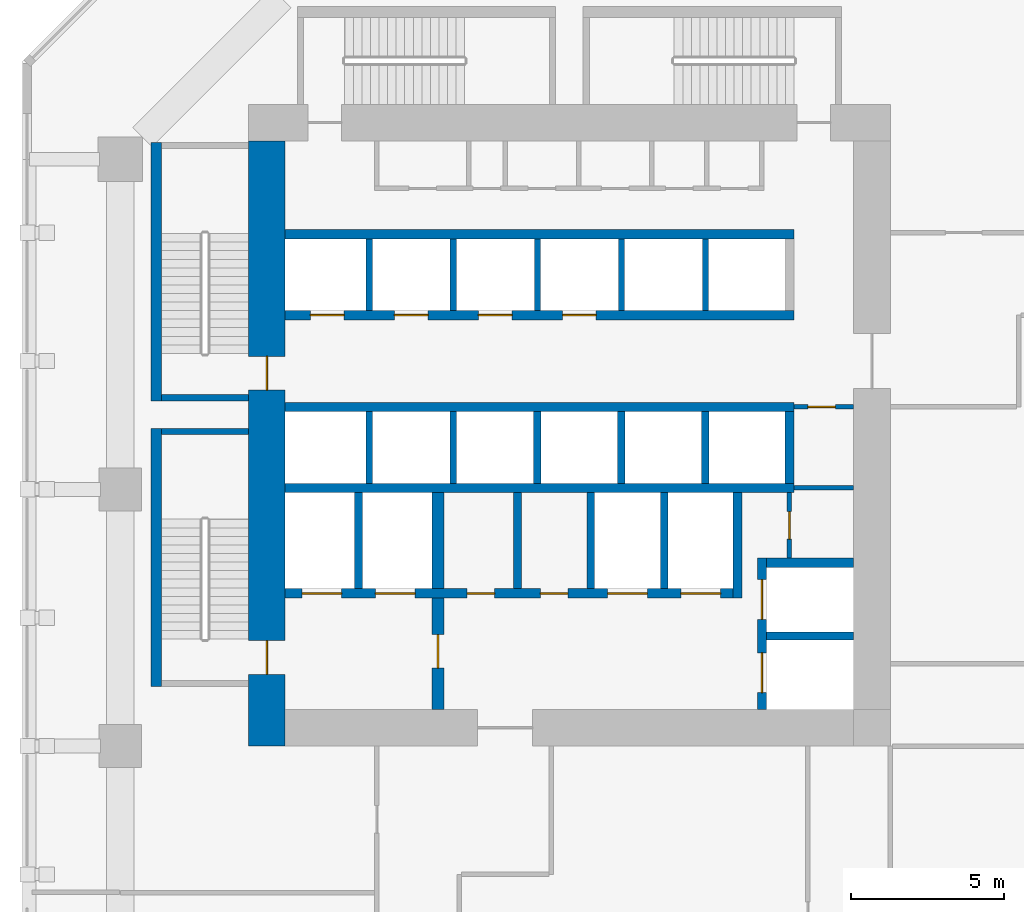
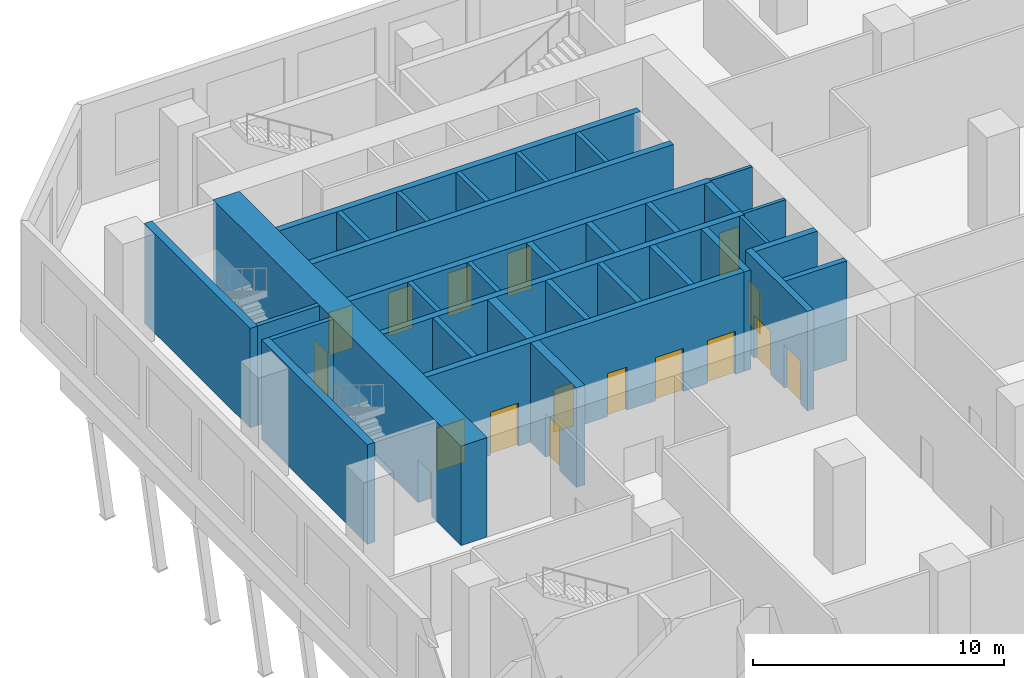
# One storey, part 8 of 21: 34 walls, 17 doors, 17 openings.
"""IFC4 building model written with IfcOpenShell, lengths in metres."""

from ifc_helpers import new_model, si_unit, direction, frame, frame_2d, origin, place, context, subcontext, project, spatial, rectangle, extrude, material, layer, layer_set, type_object, element, fill, save


model = new_model("IFC4")

# Units and contexts
model_context = context("Model", 3, precision=1e-05, world=origin(), true_north=direction((0.0, 1.0)))
body_context = subcontext(model_context, "Body", "Model", "MODEL_VIEW")
ifc_project = project(units=[si_unit("LENGTHUNIT", "METRE"), si_unit("AREAUNIT", "SQUARE_METRE"), si_unit("VOLUMEUNIT", "CUBIC_METRE"), si_unit("PLANEANGLEUNIT", "RADIAN"), si_unit("MASSUNIT", "GRAM", prefix="KILO")], contexts=[model_context])

# Site, building, storey
site_placement = place(None, origin())
site = spatial("IfcSite", under=ifc_project, at=site_placement, CompositionType="ELEMENT")
building_placement = place(site_placement, origin())
building = spatial("IfcBuilding", under=site, at=building_placement, Name="Kawkab Arch Medical Tower", CompositionType="ELEMENT")
storey_placement = place(building_placement, frame((0.0, 0.0, 23.800048828125)))
storey = spatial("IfcBuildingStorey", under=building, at=storey_placement, Name="L05", CompositionType="ELEMENT", Elevation=23.800048828125)

# Wall, openings, doors
ifc_material_1 = material(Name="Concrete C60/75", Category="concrete")
ifc_layer_1 = layer(ifc_material_1, 1.199951171875)
ifc_layer_set_1 = layer_set([ifc_layer_1], Name="Concrete C60/75")
wall_type_1 = type_object("IfcWallType", Name="Core ring wall 1200 C60/75", PredefinedType="SHEAR", material=ifc_layer_set_1)
wall_1_placement = place(storey_placement, frame((4.800048828125, -25.199951171875, 0.0), z_axis=(0.0, 0.0, 1.0), x_axis=(0.0, 1.0, 0.0)))
wall_1 = element("IfcWall", 1, at=wall_1_placement, inside=storey, type_object=wall_type_1, Name="L05 core wall", PredefinedType="SHEAR", context=body_context, shape_type="SweptSolid", body=[
    extrude(rectangle(XDim=19.800048828125, YDim=1.199951171875, at=frame_2d((9.89990234375, 0.0))), origin(), (0.0, 0.0, 1.0), 4.849853515625),
])
opening_1_placement = place(wall_1_placement, frame((11.64990234375, 0.0, 0.0)))
opening_1 = element("IfcOpeningElement", 2, at=opening_1_placement, cuts=wall_1, Name="Opening SD", PredefinedType="OPENING", context=body_context, shape_type="SweptSolid", body=[
    extrude(rectangle(XDim=1.10009765625, YDim=2.10009765625, at=frame_2d((0.550048828125, 1.050048828125))), frame((0.0, 0.60986328125, 0.0), z_axis=(0.0, -1.0, 0.0), x_axis=(1.0, 0.0, 0.0)), (0.0, 0.0, 1.0), 1.219970703125),
])
opening_2_placement = place(wall_1_placement, frame((2.35009765625, 0.0, 0.0)))
opening_2 = element("IfcOpeningElement", 3, at=opening_2_placement, cuts=wall_1, Name="Opening SD", PredefinedType="OPENING", context=body_context, shape_type="SweptSolid", body=[
    extrude(rectangle(XDim=1.10009765625, YDim=2.10009765625, at=frame_2d((0.550048828125, 1.050048828125))), frame((0.0, 0.60986328125, 0.0), z_axis=(0.0, -1.0, 0.0), x_axis=(1.0, 0.0, 0.0)), (0.0, 0.0, 1.0), 1.219970703125),
])
ifc_material_2 = material(Name="Hollow metal fire door leaf")
door_type_1 = type_object("IfcDoorType", Name="Exit stair door 1100", OperationType="SINGLE_SWING_LEFT", PredefinedType="DOOR", material=ifc_material_2)
door_1_placement = place(opening_1_placement, origin())
door_1 = element("IfcDoor", 4, at=door_1_placement, inside=storey, type_object=door_type_1, Name="L05 Exit stair ST1 door", OperationType="SINGLE_SWING_LEFT", OverallHeight=2.10009765625, OverallWidth=1.10009765625, PredefinedType="DOOR", context=body_context, shape_type="SweptSolid", body=[
    extrude(rectangle(XDim=1.10009765625, YDim=2.10009765625, at=frame_2d((0.550048828125, 1.050048828125))), frame((0.0, 0.02490234375, 0.0), z_axis=(0.0, -1.0, 0.0), x_axis=(1.0, 0.0, 0.0)), (0.0, 0.0, 1.0), 0.050048828125),
])
fill(opening_1, door_1)
door_2_placement = place(opening_2_placement, origin())
door_2 = element("IfcDoor", 5, at=door_2_placement, inside=storey, type_object=door_type_1, Name="L05 Exit stair ST2 door", OperationType="SINGLE_SWING_LEFT", OverallHeight=2.10009765625, OverallWidth=1.10009765625, PredefinedType="DOOR", context=body_context, shape_type="SweptSolid", body=[
    extrude(rectangle(XDim=1.10009765625, YDim=2.10009765625, at=frame_2d((0.550048828125, 1.050048828125))), frame((0.0, 0.02490234375, 0.0), z_axis=(0.0, -1.0, 0.0), x_axis=(1.0, 0.0, 0.0)), (0.0, 0.0, 1.0), 0.050048828125),
])
fill(opening_2, door_2)

# Wall, opening, door
ifc_material_3 = material(Name="Gypsum board on steel studs", Category="steel")
ifc_layer_2 = layer(ifc_material_3, 0.14990234375)
ifc_layer_set_2 = layer_set([ifc_layer_2], Name="Gypsum board on steel studs")
wall_type_2 = type_object("IfcWallType", Name="Core room partition 150", PredefinedType="PARTITIONING", material=ifc_layer_set_2)
wall_2_placement = place(storey_placement, frame((21.89990234375, -19.050048828125, 0.0), z_axis=(0.0, 0.0, 1.0), x_axis=(0.0, 1.0, 0.0)))
wall_2 = element("IfcWall", 6, at=wall_2_placement, inside=storey, type_object=wall_type_2, Name="L05 core room partition", PredefinedType="PARTITIONING", context=body_context, shape_type="SweptSolid", body=[
    extrude(rectangle(XDim=2.150146484375, YDim=0.14990234375, at=frame_2d((1.0751953125, 0.0))), origin(), (0.0, 0.0, 1.0), 4.849853515625),
])
opening_3_placement = place(wall_2_placement, frame((0.625, 0.0, 0.0)))
opening_3 = element("IfcOpeningElement", 7, at=opening_3_placement, cuts=wall_2, Name="Opening RD", PredefinedType="OPENING", context=body_context, shape_type="SweptSolid", body=[
    extrude(rectangle(XDim=0.89990234375, YDim=2.10009765625, at=frame_2d((0.449951171875, 1.050048828125))), frame((0.0, 0.0849609375, 0.0), z_axis=(0.0, -1.0, 0.0), x_axis=(1.0, 0.0, 0.0)), (0.0, 0.0, 1.0), 0.169921875),
])
ifc_material_4 = material(Name="Hollow metal fire door leaf")
door_type_2 = type_object("IfcDoorType", Name="Core room door 900", OperationType="SINGLE_SWING_LEFT", PredefinedType="DOOR", material=ifc_material_4)
door_3_placement = place(opening_3_placement, origin())
door_3 = element("IfcDoor", 8, at=door_3_placement, inside=storey, type_object=door_type_2, Name="L05 Accessible WC door", OperationType="SINGLE_SWING_LEFT", OverallHeight=2.10009765625, OverallWidth=0.89990234375, PredefinedType="DOOR", context=body_context, shape_type="SweptSolid", body=[
    extrude(rectangle(XDim=0.89990234375, YDim=2.10009765625, at=frame_2d((0.449951171875, 1.050048828125))), frame((0.0, 0.02490234375, 0.0), z_axis=(0.0, -1.0, 0.0), x_axis=(1.0, 0.0, 0.0)), (0.0, 0.0, 1.0), 0.050048828125),
])
fill(opening_3, door_3)

# Wall
wall_3_placement = place(storey_placement, frame((22.050048828125, -16.75, 0.0), z_axis=(0.0, 0.0, 1.0), x_axis=(1.0, 0.0, 0.0)))
element("IfcWall", 9, at=wall_3_placement, inside=storey, type_object=wall_type_2, Name="L05 core room partition", PredefinedType="PARTITIONING", context=body_context, shape_type="SweptSolid", body=[
    extrude(rectangle(XDim=1.949951171875, YDim=0.14990234375, at=frame_2d((0.97509765625, 0.0))), origin(), (0.0, 0.0, 1.0), 4.849853515625),
])

# Wall, opening, door
wall_4_placement = place(storey_placement, frame((22.050048828125, -14.10009765625, 0.0), z_axis=(0.0, 0.0, 1.0), x_axis=(1.0, 0.0, 0.0)))
wall_4 = element("IfcWall", 10, at=wall_4_placement, inside=storey, type_object=wall_type_2, Name="L05 core room partition", PredefinedType="PARTITIONING", context=body_context, shape_type="SweptSolid", body=[
    extrude(rectangle(XDim=1.949951171875, YDim=0.14990234375, at=frame_2d((0.97509765625, 0.0))), origin(), (0.0, 0.0, 1.0), 4.849853515625),
])
opening_4_placement = place(wall_4_placement, frame((0.449951171875, 0.0, 0.0)))
opening_4 = element("IfcOpeningElement", 11, at=opening_4_placement, cuts=wall_4, Name="Opening RD", PredefinedType="OPENING", context=body_context, shape_type="SweptSolid", body=[
    extrude(rectangle(XDim=0.89990234375, YDim=2.10009765625, at=frame_2d((0.449951171875, 1.050048828125))), frame((0.0, 0.0849609375, 0.0), z_axis=(0.0, -1.0, 0.0), x_axis=(1.0, 0.0, 0.0)), (0.0, 0.0, 1.0), 0.169921875),
])
door_4_placement = place(opening_4_placement, origin())
door_4 = element("IfcDoor", 12, at=door_4_placement, inside=storey, type_object=door_type_2, Name="L05 Equipment store door", OperationType="SINGLE_SWING_LEFT", OverallHeight=2.10009765625, OverallWidth=0.89990234375, PredefinedType="DOOR", context=body_context, shape_type="SweptSolid", body=[
    extrude(rectangle(XDim=0.89990234375, YDim=2.10009765625, at=frame_2d((0.449951171875, 1.050048828125))), frame((0.0, 0.02490234375, 0.0), z_axis=(0.0, -1.0, 0.0), x_axis=(1.0, 0.0, 0.0)), (0.0, 0.0, 1.0), 0.050048828125),
])
fill(opening_4, door_4)

# Walls
ifc_material_5 = material(Name="Concrete C60/75", Category="concrete")
ifc_layer_3 = layer(ifc_material_5, 0.25)
ifc_layer_set_3 = layer_set([ifc_layer_3], Name="Concrete C60/75")
wall_type_3 = type_object("IfcWallType", Name="Core shear wall 250 C60/75", PredefinedType="SHEAR", material=ifc_layer_set_3)
wall_5_placement = place(storey_placement, frame((21.14990234375, -21.60009765625, 0.0), z_axis=(0.0, 0.0, 1.0), x_axis=(1.0, 0.0, 0.0)))
element("IfcWall", 13, at=wall_5_placement, inside=storey, type_object=wall_type_3, Name="L05 core shear wall", PredefinedType="SHEAR", context=body_context, shape_type="SweptSolid", body=[
    extrude(rectangle(XDim=2.85009765625, YDim=0.25, at=frame_2d((1.425048828125, 0.0))), origin(), (0.0, 0.0, 1.0), 4.849853515625),
])
for number, where, z_axis, x_axis, name in (
    (14, (7.800048828125, -20.050048828125, 0.0), (0.0, 0.0, 1.0), (0.0, 1.0, 0.0), "L05 core shear wall"),
    (15, (13.0, -20.050048828125, 0.0), (0.0, 0.0, 1.0), (0.0, 1.0, 0.0), "L05 core shear wall"),
    (16, (15.39990234375, -20.050048828125, 0.0), (0.0, 0.0, 1.0), (0.0, 1.0, 0.0), "L05 core shear wall"),
    (17, (17.800048828125, -20.050048828125, 0.0), (0.0, 0.0, 1.0), (0.0, 1.0, 0.0), "L05 core shear wall"),
):
    element("IfcWall", number, at=place(storey_placement, frame(where, z_axis=z_axis, x_axis=x_axis)), inside=storey, type_object=wall_type_3, Name=name, PredefinedType="SHEAR", context=body_context, shape_type="SweptSolid", body=[
        extrude(rectangle(XDim=3.150146484375, YDim=0.25, at=frame_2d((1.5751953125, 0.0))), origin(), (0.0, 0.0, 1.0), 4.849853515625),
    ])
for number, where, z_axis, x_axis, name in (
    (18, (13.64990234375, -16.60009765625, 0.0), (0.0, 0.0, 1.0), (0.0, 1.0, 0.0), "L05 core shear wall"),
    (19, (16.39990234375, -16.60009765625, 0.0), (0.0, 0.0, 1.0), (0.0, 1.0, 0.0), "L05 core shear wall"),
    (20, (19.14990234375, -16.60009765625, 0.0), (0.0, 0.0, 1.0), (0.0, 1.0, 0.0), "L05 core shear wall"),
):
    element("IfcWall", number, at=place(storey_placement, frame(where, z_axis=z_axis, x_axis=x_axis)), inside=storey, type_object=wall_type_3, Name=name, PredefinedType="SHEAR", context=body_context, shape_type="SweptSolid", body=[
        extrude(rectangle(XDim=2.35009765625, YDim=0.25, at=frame_2d((1.175048828125, 0.0))), origin(), (0.0, 0.0, 1.0), 4.849853515625),
    ])
ifc_material_6 = material(Name="Concrete C60/75", Category="concrete")
ifc_layer_4 = layer(ifc_material_6, 0.300048828125)
ifc_layer_set_4 = layer_set([ifc_layer_4], Name="Concrete C60/75")
wall_type_4 = type_object("IfcWallType", Name="Core shear wall 300 C60/75", PredefinedType="SHEAR", material=ifc_layer_set_4)
wall_6_placement = place(storey_placement, frame((5.39990234375, -8.449951171875, 0.0), z_axis=(0.0, 0.0, 1.0), x_axis=(1.0, 0.0, 0.0)))
element("IfcWall", 21, at=wall_6_placement, inside=storey, type_object=wall_type_4, Name="L05 core shear wall", PredefinedType="SHEAR", context=body_context, shape_type="SweptSolid", body=[
    extrude(rectangle(XDim=16.650146484375, YDim=0.300048828125, at=frame_2d((8.3251953125, 0.0))), origin(), (0.0, 0.0, 1.0), 4.849853515625),
])

# Wall, openings, doors
wall_7_placement = place(storey_placement, frame((5.39990234375, -11.10009765625, 0.0), z_axis=(0.0, 0.0, 1.0), x_axis=(1.0, 0.0, 0.0)))
wall_7 = element("IfcWall", 22, at=wall_7_placement, inside=storey, type_object=wall_type_4, Name="L05 core shear wall", PredefinedType="SHEAR", context=body_context, shape_type="SweptSolid", body=[
    extrude(rectangle(XDim=16.650146484375, YDim=0.300048828125, at=frame_2d((8.3251953125, 0.0))), origin(), (0.0, 0.0, 1.0), 4.849853515625),
])
opening_5_placement = place(wall_7_placement, frame((0.824951171875, 0.0, 0.0)))
opening_5 = element("IfcOpeningElement", 23, at=opening_5_placement, cuts=wall_7, Name="Opening LD1", PredefinedType="OPENING", context=body_context, shape_type="SweptSolid", body=[
    extrude(rectangle(XDim=1.10009765625, YDim=2.10009765625, at=frame_2d((0.550048828125, 1.050048828125))), frame((0.0, 0.159912109375, 0.0), z_axis=(0.0, -1.0, 0.0), x_axis=(1.0, 0.0, 0.0)), (0.0, 0.0, 1.0), 0.320068359375),
])
opening_6_placement = place(wall_7_placement, frame((3.574951171875, 0.0, 0.0)))
opening_6 = element("IfcOpeningElement", 24, at=opening_6_placement, cuts=wall_7, Name="Opening LD1", PredefinedType="OPENING", context=body_context, shape_type="SweptSolid", body=[
    extrude(rectangle(XDim=1.10009765625, YDim=2.10009765625, at=frame_2d((0.550048828125, 1.050048828125))), frame((0.0, 0.159912109375, 0.0), z_axis=(0.0, -1.0, 0.0), x_axis=(1.0, 0.0, 0.0)), (0.0, 0.0, 1.0), 0.320068359375),
])
opening_7_placement = place(wall_7_placement, frame((6.324951171875, 0.0, 0.0)))
opening_7 = element("IfcOpeningElement", 25, at=opening_7_placement, cuts=wall_7, Name="Opening LD1", PredefinedType="OPENING", context=body_context, shape_type="SweptSolid", body=[
    extrude(rectangle(XDim=1.10009765625, YDim=2.10009765625, at=frame_2d((0.550048828125, 1.050048828125))), frame((0.0, 0.159912109375, 0.0), z_axis=(0.0, -1.0, 0.0), x_axis=(1.0, 0.0, 0.0)), (0.0, 0.0, 1.0), 0.320068359375),
])
opening_8_placement = place(wall_7_placement, frame((9.074951171875, 0.0, 0.0)))
opening_8 = element("IfcOpeningElement", 26, at=opening_8_placement, cuts=wall_7, Name="Opening LD1", PredefinedType="OPENING", context=body_context, shape_type="SweptSolid", body=[
    extrude(rectangle(XDim=1.10009765625, YDim=2.10009765625, at=frame_2d((0.550048828125, 1.050048828125))), frame((0.0, 0.159912109375, 0.0), z_axis=(0.0, -1.0, 0.0), x_axis=(1.0, 0.0, 0.0)), (0.0, 0.0, 1.0), 0.320068359375),
])
ifc_material_7 = material(Name="Stainless steel lift door leaf", Category="steel")
door_type_3 = type_object("IfcDoorType", Name="Lift landing door 1100", OperationType="DOUBLE_DOOR_SLIDING", PredefinedType="DOOR", material=ifc_material_7)
door_5_placement = place(opening_5_placement, origin())
door_5 = element("IfcDoor", 27, at=door_5_placement, inside=storey, type_object=door_type_3, Name="L05 Lift landing door LP1", OperationType="DOUBLE_DOOR_SLIDING", OverallHeight=2.10009765625, OverallWidth=1.10009765625, PredefinedType="DOOR", context=body_context, shape_type="SweptSolid", body=[
    extrude(rectangle(XDim=1.10009765625, YDim=2.10009765625, at=frame_2d((0.550048828125, 1.050048828125))), frame((0.0, 0.02490234375, 0.0), z_axis=(0.0, -1.0, 0.0), x_axis=(1.0, 0.0, 0.0)), (0.0, 0.0, 1.0), 0.050048828125),
])
fill(opening_5, door_5)
door_6_placement = place(opening_6_placement, origin())
door_6 = element("IfcDoor", 28, at=door_6_placement, inside=storey, type_object=door_type_3, Name="L05 Lift landing door LP2", OperationType="DOUBLE_DOOR_SLIDING", OverallHeight=2.10009765625, OverallWidth=1.10009765625, PredefinedType="DOOR", context=body_context, shape_type="SweptSolid", body=[
    extrude(rectangle(XDim=1.10009765625, YDim=2.10009765625, at=frame_2d((0.550048828125, 1.050048828125))), frame((0.0, 0.02490234375, 0.0), z_axis=(0.0, -1.0, 0.0), x_axis=(1.0, 0.0, 0.0)), (0.0, 0.0, 1.0), 0.050048828125),
])
fill(opening_6, door_6)
door_7_placement = place(opening_7_placement, origin())
door_7 = element("IfcDoor", 29, at=door_7_placement, inside=storey, type_object=door_type_3, Name="L05 Lift landing door LP3", OperationType="DOUBLE_DOOR_SLIDING", OverallHeight=2.10009765625, OverallWidth=1.10009765625, PredefinedType="DOOR", context=body_context, shape_type="SweptSolid", body=[
    extrude(rectangle(XDim=1.10009765625, YDim=2.10009765625, at=frame_2d((0.550048828125, 1.050048828125))), frame((0.0, 0.02490234375, 0.0), z_axis=(0.0, -1.0, 0.0), x_axis=(1.0, 0.0, 0.0)), (0.0, 0.0, 1.0), 0.050048828125),
])
fill(opening_7, door_7)
door_8_placement = place(opening_8_placement, origin())
door_8 = element("IfcDoor", 30, at=door_8_placement, inside=storey, type_object=door_type_3, Name="L05 Lift landing door LP4", OperationType="DOUBLE_DOOR_SLIDING", OverallHeight=2.10009765625, OverallWidth=1.10009765625, PredefinedType="DOOR", context=body_context, shape_type="SweptSolid", body=[
    extrude(rectangle(XDim=1.10009765625, YDim=2.10009765625, at=frame_2d((0.550048828125, 1.050048828125))), frame((0.0, 0.02490234375, 0.0), z_axis=(0.0, -1.0, 0.0), x_axis=(1.0, 0.0, 0.0)), (0.0, 0.0, 1.0), 0.050048828125),
])
fill(opening_8, door_8)

# Walls
for number, where, z_axis, x_axis, name in (
    (31, (5.39990234375, -14.10009765625, 0.0), (0.0, 0.0, 1.0), (1.0, 0.0, 0.0), "L05 core shear wall"),
    (32, (5.39990234375, -16.75, 0.0), (0.0, 0.0, 1.0), (1.0, 0.0, 0.0), "L05 core shear wall"),
):
    element("IfcWall", number, at=place(storey_placement, frame(where, z_axis=z_axis, x_axis=x_axis)), inside=storey, type_object=wall_type_4, Name=name, PredefinedType="SHEAR", context=body_context, shape_type="SweptSolid", body=[
        extrude(rectangle(XDim=16.650146484375, YDim=0.300048828125, at=frame_2d((8.3251953125, 0.0))), origin(), (0.0, 0.0, 1.0), 4.849853515625),
    ])

# Wall, openings, doors
wall_8_placement = place(storey_placement, frame((5.39990234375, -20.199951171875, 0.0), z_axis=(0.0, 0.0, 1.0), x_axis=(1.0, 0.0, 0.0)))
wall_8 = element("IfcWall", 33, at=wall_8_placement, inside=storey, type_object=wall_type_4, Name="L05 core shear wall", PredefinedType="SHEAR", context=body_context, shape_type="SweptSolid", body=[
    extrude(rectangle(XDim=14.650146484375, YDim=0.300048828125, at=frame_2d((7.3251953125, 0.0))), origin(), (0.0, 0.0, 1.0), 4.849853515625),
])
opening_9_placement = place(wall_8_placement, frame((10.550048828125, 0.0, 0.0)))
opening_9 = element("IfcOpeningElement", 34, at=opening_9_placement, cuts=wall_8, Name="Opening LD2", PredefinedType="OPENING", context=body_context, shape_type="SweptSolid", body=[
    extrude(rectangle(XDim=1.300048828125, YDim=2.10009765625, at=frame_2d((0.64990234375, 1.050048828125))), frame((0.0, 0.159912109375, 0.0), z_axis=(0.0, -1.0, 0.0), x_axis=(1.0, 0.0, 0.0)), (0.0, 0.0, 1.0), 0.320068359375),
])
opening_10_placement = place(wall_8_placement, frame((12.949951171875, 0.0, 0.0)))
opening_10 = element("IfcOpeningElement", 35, at=opening_10_placement, cuts=wall_8, Name="Opening LD2", PredefinedType="OPENING", context=body_context, shape_type="SweptSolid", body=[
    extrude(rectangle(XDim=1.300048828125, YDim=2.10009765625, at=frame_2d((0.64990234375, 1.050048828125))), frame((0.0, 0.159912109375, 0.0), z_axis=(0.0, -1.0, 0.0), x_axis=(1.0, 0.0, 0.0)), (0.0, 0.0, 1.0), 0.320068359375),
])
opening_11_placement = place(wall_8_placement, frame((0.550048828125, 0.0, 0.0)))
opening_11 = element("IfcOpeningElement", 36, at=opening_11_placement, cuts=wall_8, Name="Opening LD2", PredefinedType="OPENING", context=body_context, shape_type="SweptSolid", body=[
    extrude(rectangle(XDim=1.300048828125, YDim=2.10009765625, at=frame_2d((0.64990234375, 1.050048828125))), frame((0.0, 0.159912109375, 0.0), z_axis=(0.0, -1.0, 0.0), x_axis=(1.0, 0.0, 0.0)), (0.0, 0.0, 1.0), 0.320068359375),
])
opening_12_placement = place(wall_8_placement, frame((2.949951171875, 0.0, 0.0)))
opening_12 = element("IfcOpeningElement", 37, at=opening_12_placement, cuts=wall_8, Name="Opening LD2", PredefinedType="OPENING", context=body_context, shape_type="SweptSolid", body=[
    extrude(rectangle(XDim=1.300048828125, YDim=2.10009765625, at=frame_2d((0.64990234375, 1.050048828125))), frame((0.0, 0.159912109375, 0.0), z_axis=(0.0, -1.0, 0.0), x_axis=(1.0, 0.0, 0.0)), (0.0, 0.0, 1.0), 0.320068359375),
])
opening_13_placement = place(wall_8_placement, frame((5.949951171875, 0.0, 0.0)))
opening_13 = element("IfcOpeningElement", 38, at=opening_13_placement, cuts=wall_8, Name="Opening RD", PredefinedType="OPENING", context=body_context, shape_type="SweptSolid", body=[
    extrude(rectangle(XDim=0.89990234375, YDim=2.10009765625, at=frame_2d((0.449951171875, 1.050048828125))), frame((0.0, 0.159912109375, 0.0), z_axis=(0.0, -1.0, 0.0), x_axis=(1.0, 0.0, 0.0)), (0.0, 0.0, 1.0), 0.320068359375),
])
opening_14_placement = place(wall_8_placement, frame((8.35009765625, 0.0, 0.0)))
opening_14 = element("IfcOpeningElement", 39, at=opening_14_placement, cuts=wall_8, Name="Opening RD", PredefinedType="OPENING", context=body_context, shape_type="SweptSolid", body=[
    extrude(rectangle(XDim=0.89990234375, YDim=2.10009765625, at=frame_2d((0.449951171875, 1.050048828125))), frame((0.0, 0.159912109375, 0.0), z_axis=(0.0, -1.0, 0.0), x_axis=(1.0, 0.0, 0.0)), (0.0, 0.0, 1.0), 0.320068359375),
])
door_9_placement = place(opening_13_placement, origin())
door_9 = element("IfcDoor", 40, at=door_9_placement, inside=storey, type_object=door_type_2, Name="L05 Dirty utility room door", OperationType="SINGLE_SWING_LEFT", OverallHeight=2.10009765625, OverallWidth=0.89990234375, PredefinedType="DOOR", context=body_context, shape_type="SweptSolid", body=[
    extrude(rectangle(XDim=0.89990234375, YDim=2.10009765625, at=frame_2d((0.449951171875, 1.050048828125))), frame((0.0, 0.02490234375, 0.0), z_axis=(0.0, -1.0, 0.0), x_axis=(1.0, 0.0, 0.0)), (0.0, 0.0, 1.0), 0.050048828125),
])
fill(opening_13, door_9)
door_10_placement = place(opening_14_placement, origin())
door_10 = element("IfcDoor", 41, at=door_10_placement, inside=storey, type_object=door_type_2, Name="L05 Medication store door", OperationType="SINGLE_SWING_LEFT", OverallHeight=2.10009765625, OverallWidth=0.89990234375, PredefinedType="DOOR", context=body_context, shape_type="SweptSolid", body=[
    extrude(rectangle(XDim=0.89990234375, YDim=2.10009765625, at=frame_2d((0.449951171875, 1.050048828125))), frame((0.0, 0.02490234375, 0.0), z_axis=(0.0, -1.0, 0.0), x_axis=(1.0, 0.0, 0.0)), (0.0, 0.0, 1.0), 0.050048828125),
])
fill(opening_14, door_10)
ifc_material_8 = material(Name="Stainless steel lift door leaf", Category="steel")
door_type_4 = type_object("IfcDoorType", Name="Lift landing door 1300", OperationType="DOUBLE_DOOR_SLIDING", PredefinedType="DOOR", material=ifc_material_8)
door_11_placement = place(opening_9_placement, origin())
door_11 = element("IfcDoor", 42, at=door_11_placement, inside=storey, type_object=door_type_4, Name="L05 Lift landing door BD3", OperationType="DOUBLE_DOOR_SLIDING", OverallHeight=2.10009765625, OverallWidth=1.300048828125, PredefinedType="DOOR", context=body_context, shape_type="SweptSolid", body=[
    extrude(rectangle(XDim=1.300048828125, YDim=2.10009765625, at=frame_2d((0.64990234375, 1.050048828125))), frame((0.0, 0.02490234375, 0.0), z_axis=(0.0, -1.0, 0.0), x_axis=(1.0, 0.0, 0.0)), (0.0, 0.0, 1.0), 0.050048828125),
])
fill(opening_9, door_11)
door_12_placement = place(opening_10_placement, origin())
door_12 = element("IfcDoor", 43, at=door_12_placement, inside=storey, type_object=door_type_4, Name="L05 Lift landing door BD4", OperationType="DOUBLE_DOOR_SLIDING", OverallHeight=2.10009765625, OverallWidth=1.300048828125, PredefinedType="DOOR", context=body_context, shape_type="SweptSolid", body=[
    extrude(rectangle(XDim=1.300048828125, YDim=2.10009765625, at=frame_2d((0.64990234375, 1.050048828125))), frame((0.0, 0.02490234375, 0.0), z_axis=(0.0, -1.0, 0.0), x_axis=(1.0, 0.0, 0.0)), (0.0, 0.0, 1.0), 0.050048828125),
])
fill(opening_10, door_12)
door_13_placement = place(opening_11_placement, origin())
door_13 = element("IfcDoor", 44, at=door_13_placement, inside=storey, type_object=door_type_4, Name="L05 Lift landing door FL1", OperationType="DOUBLE_DOOR_SLIDING", OverallHeight=2.10009765625, OverallWidth=1.300048828125, PredefinedType="DOOR", context=body_context, shape_type="SweptSolid", body=[
    extrude(rectangle(XDim=1.300048828125, YDim=2.10009765625, at=frame_2d((0.64990234375, 1.050048828125))), frame((0.0, 0.02490234375, 0.0), z_axis=(0.0, -1.0, 0.0), x_axis=(1.0, 0.0, 0.0)), (0.0, 0.0, 1.0), 0.050048828125),
])
fill(opening_11, door_13)
door_14_placement = place(opening_12_placement, origin())
door_14 = element("IfcDoor", 45, at=door_14_placement, inside=storey, type_object=door_type_4, Name="L05 Lift landing door FL2", OperationType="DOUBLE_DOOR_SLIDING", OverallHeight=2.10009765625, OverallWidth=1.300048828125, PredefinedType="DOOR", context=body_context, shape_type="SweptSolid", body=[
    extrude(rectangle(XDim=1.300048828125, YDim=2.10009765625, at=frame_2d((0.64990234375, 1.050048828125))), frame((0.0, 0.02490234375, 0.0), z_axis=(0.0, -1.0, 0.0), x_axis=(1.0, 0.0, 0.0)), (0.0, 0.0, 1.0), 0.050048828125),
])
fill(opening_12, door_14)

# Walls
wall_9_placement = place(storey_placement, frame((20.199951171875, -20.35009765625, 0.0), z_axis=(0.0, 0.0, 1.0), x_axis=(0.0, 1.0, 0.0)))
element("IfcWall", 46, at=wall_9_placement, inside=storey, type_object=wall_type_4, Name="L05 core shear wall", PredefinedType="SHEAR", context=body_context, shape_type="SweptSolid", body=[
    extrude(rectangle(XDim=3.4501953125, YDim=0.300048828125, at=frame_2d((1.72509765625, 0.0))), origin(), (0.0, 0.0, 1.0), 4.849853515625),
])
wall_10_placement = place(storey_placement, frame((21.89990234375, -16.60009765625, 0.0), z_axis=(0.0, 0.0, 1.0), x_axis=(0.0, 1.0, 0.0)))
element("IfcWall", 47, at=wall_10_placement, inside=storey, type_object=wall_type_4, Name="L05 core shear wall", PredefinedType="SHEAR", context=body_context, shape_type="SweptSolid", body=[
    extrude(rectangle(XDim=2.35009765625, YDim=0.300048828125, at=frame_2d((1.175048828125, 0.0))), origin(), (0.0, 0.0, 1.0), 4.849853515625),
])
wall_11_placement = place(storey_placement, frame((21.14990234375, -19.199951171875, 0.0), z_axis=(0.0, 0.0, 1.0), x_axis=(1.0, 0.0, 0.0)))
element("IfcWall", 48, at=wall_11_placement, inside=storey, type_object=wall_type_4, Name="L05 core shear wall", PredefinedType="SHEAR", context=body_context, shape_type="SweptSolid", body=[
    extrude(rectangle(XDim=2.85009765625, YDim=0.300048828125, at=frame_2d((1.425048828125, 0.0))), origin(), (0.0, 0.0, 1.0), 4.849853515625),
])

# Wall, openings, doors
wall_12_placement = place(storey_placement, frame((21.0, -24.0, 0.0), z_axis=(0.0, 0.0, 1.0), x_axis=(0.0, 1.0, 0.0)))
wall_12 = element("IfcWall", 49, at=wall_12_placement, inside=storey, type_object=wall_type_4, Name="L05 core shear wall", PredefinedType="SHEAR", context=body_context, shape_type="SweptSolid", body=[
    extrude(rectangle(XDim=4.949951171875, YDim=0.300048828125, at=frame_2d((2.47509765625, 0.0))), origin(), (0.0, 0.0, 1.0), 4.849853515625),
])
opening_15_placement = place(wall_12_placement, frame((2.949951171875, 0.0, 0.0)))
opening_15 = element("IfcOpeningElement", 50, at=opening_15_placement, cuts=wall_12, Name="Opening LD2", PredefinedType="OPENING", context=body_context, shape_type="SweptSolid", body=[
    extrude(rectangle(XDim=1.300048828125, YDim=2.10009765625, at=frame_2d((0.64990234375, 1.050048828125))), frame((0.0, 0.159912109375, 0.0), z_axis=(0.0, -1.0, 0.0), x_axis=(1.0, 0.0, 0.0)), (0.0, 0.0, 1.0), 0.320068359375),
])
opening_16_placement = place(wall_12_placement, frame((0.550048828125, 0.0, 0.0)))
opening_16 = element("IfcOpeningElement", 51, at=opening_16_placement, cuts=wall_12, Name="Opening LD2", PredefinedType="OPENING", context=body_context, shape_type="SweptSolid", body=[
    extrude(rectangle(XDim=1.300048828125, YDim=2.10009765625, at=frame_2d((0.64990234375, 1.050048828125))), frame((0.0, 0.159912109375, 0.0), z_axis=(0.0, -1.0, 0.0), x_axis=(1.0, 0.0, 0.0)), (0.0, 0.0, 1.0), 0.320068359375),
])
door_15_placement = place(opening_15_placement, origin())
door_15 = element("IfcDoor", 52, at=door_15_placement, inside=storey, type_object=door_type_4, Name="L05 Lift landing door BD1", OperationType="DOUBLE_DOOR_SLIDING", OverallHeight=2.10009765625, OverallWidth=1.300048828125, PredefinedType="DOOR", context=body_context, shape_type="SweptSolid", body=[
    extrude(rectangle(XDim=1.300048828125, YDim=2.10009765625, at=frame_2d((0.64990234375, 1.050048828125))), frame((0.0, 0.02490234375, 0.0), z_axis=(0.0, -1.0, 0.0), x_axis=(1.0, 0.0, 0.0)), (0.0, 0.0, 1.0), 0.050048828125),
])
fill(opening_15, door_15)
door_16_placement = place(opening_16_placement, origin())
door_16 = element("IfcDoor", 53, at=door_16_placement, inside=storey, type_object=door_type_4, Name="L05 Lift landing door BD2", OperationType="DOUBLE_DOOR_SLIDING", OverallHeight=2.10009765625, OverallWidth=1.300048828125, PredefinedType="DOOR", context=body_context, shape_type="SweptSolid", body=[
    extrude(rectangle(XDim=1.300048828125, YDim=2.10009765625, at=frame_2d((0.64990234375, 1.050048828125))), frame((0.0, 0.02490234375, 0.0), z_axis=(0.0, -1.0, 0.0), x_axis=(1.0, 0.0, 0.0)), (0.0, 0.0, 1.0), 0.050048828125),
])
fill(opening_16, door_16)

# Wall, opening, door
ifc_material_9 = material(Name="Concrete C60/75", Category="concrete")
ifc_layer_5 = layer(ifc_material_9, 0.39990234375)
ifc_layer_set_5 = layer_set([ifc_layer_5], Name="Concrete C60/75")
wall_type_5 = type_object("IfcWallType", Name="Core shear wall 400 C60/75", PredefinedType="SHEAR", material=ifc_layer_set_5)
wall_13_placement = place(storey_placement, frame((10.39990234375, -24.0, 0.0), z_axis=(0.0, 0.0, 1.0), x_axis=(0.0, 1.0, 0.0)))
wall_13 = element("IfcWall", 54, at=wall_13_placement, inside=storey, type_object=wall_type_5, Name="L05 core shear wall", PredefinedType="SHEAR", context=body_context, shape_type="SweptSolid", body=[
    extrude(rectangle(XDim=3.64990234375, YDim=0.39990234375, at=frame_2d((1.824951171875, 0.0))), origin(), (0.0, 0.0, 1.0), 4.849853515625),
])
opening_17_placement = place(wall_13_placement, frame((1.35009765625, 0.0, 0.0)))
opening_17 = element("IfcOpeningElement", 55, at=opening_17_placement, cuts=wall_13, Name="Opening FD", PredefinedType="OPENING", context=body_context, shape_type="SweptSolid", body=[
    extrude(rectangle(XDim=1.10009765625, YDim=2.10009765625, at=frame_2d((0.550048828125, 1.050048828125))), frame((0.0, 0.2099609375, 0.0), z_axis=(0.0, -1.0, 0.0), x_axis=(1.0, 0.0, 0.0)), (0.0, 0.0, 1.0), 0.419921875),
])
ifc_material_10 = material(Name="Hollow metal fire door leaf")
door_type_5 = type_object("IfcDoorType", Name="Firefighting lobby door 1100", OperationType="SINGLE_SWING_LEFT", PredefinedType="DOOR", material=ifc_material_10)
door_17_placement = place(opening_17_placement, origin())
door_17 = element("IfcDoor", 56, at=door_17_placement, inside=storey, type_object=door_type_5, Name="L05 Firefighting lobby door", OperationType="SINGLE_SWING_LEFT", OverallHeight=2.10009765625, OverallWidth=1.10009765625, PredefinedType="DOOR", context=body_context, shape_type="SweptSolid", body=[
    extrude(rectangle(XDim=1.10009765625, YDim=2.10009765625, at=frame_2d((0.550048828125, 1.050048828125))), frame((0.0, 0.02490234375, 0.0), z_axis=(0.0, -1.0, 0.0), x_axis=(1.0, 0.0, 0.0)), (0.0, 0.0, 1.0), 0.050048828125),
])
fill(opening_17, door_17)

# Walls
wall_14_placement = place(storey_placement, frame((10.39990234375, -20.050048828125, 0.0), z_axis=(0.0, 0.0, 1.0), x_axis=(0.0, 1.0, 0.0)))
element("IfcWall", 57, at=wall_14_placement, inside=storey, type_object=wall_type_5, Name="L05 core shear wall", PredefinedType="SHEAR", context=body_context, shape_type="SweptSolid", body=[
    extrude(rectangle(XDim=3.150146484375, YDim=0.39990234375, at=frame_2d((1.5751953125, 0.0))), origin(), (0.0, 0.0, 1.0), 4.849853515625),
])
ifc_material_11 = material(Name="Dense concrete blockwork", Category="masonry")
ifc_layer_6 = layer(ifc_material_11, 0.199951171875)
ifc_layer_set_6 = layer_set([ifc_layer_6], Name="Dense concrete blockwork")
wall_type_6 = type_object("IfcWallType", Name="Lift shaft partition 200", PredefinedType="PARTITIONING", material=ifc_layer_set_6)
for number, where, z_axis, x_axis, name in (
    (58, (8.14990234375, -10.949951171875, 0.0), (0.0, 0.0, 1.0), (0.0, 1.0, 0.0), "L05 lift shaft partition"),
    (59, (10.89990234375, -10.949951171875, 0.0), (0.0, 0.0, 1.0), (0.0, 1.0, 0.0), "L05 lift shaft partition"),
    (60, (13.64990234375, -10.949951171875, 0.0), (0.0, 0.0, 1.0), (0.0, 1.0, 0.0), "L05 lift shaft partition"),
    (61, (16.39990234375, -10.949951171875, 0.0), (0.0, 0.0, 1.0), (0.0, 1.0, 0.0), "L05 lift shaft partition"),
    (62, (19.14990234375, -10.949951171875, 0.0), (0.0, 0.0, 1.0), (0.0, 1.0, 0.0), "L05 lift shaft partition"),
):
    element("IfcWall", number, at=place(storey_placement, frame(where, z_axis=z_axis, x_axis=x_axis)), inside=storey, type_object=wall_type_6, Name=name, PredefinedType="PARTITIONING", context=body_context, shape_type="SweptSolid", body=[
        extrude(rectangle(XDim=2.349853515625, YDim=0.199951171875, at=frame_2d((1.1748046875, 0.0))), origin(), (0.0, 0.0, 1.0), 4.849853515625),
    ])
for number, where, z_axis, x_axis, name in (
    (63, (8.14990234375, -16.60009765625, 0.0), (0.0, 0.0, 1.0), (0.0, 1.0, 0.0), "L05 lift shaft partition"),
    (64, (10.89990234375, -16.60009765625, 0.0), (0.0, 0.0, 1.0), (0.0, 1.0, 0.0), "L05 lift shaft partition"),
):
    element("IfcWall", number, at=place(storey_placement, frame(where, z_axis=z_axis, x_axis=x_axis)), inside=storey, type_object=wall_type_6, Name=name, PredefinedType="PARTITIONING", context=body_context, shape_type="SweptSolid", body=[
        extrude(rectangle(XDim=2.35009765625, YDim=0.199951171875, at=frame_2d((1.175048828125, 0.0))), origin(), (0.0, 0.0, 1.0), 4.849853515625),
    ])
ifc_material_12 = material(Name="Concrete C50/60", Category="concrete")
ifc_layer_7 = layer(ifc_material_12, 0.199951171875)
ifc_layer_set_7 = layer_set([ifc_layer_7], Name="Concrete C50/60")
wall_type_7 = type_object("IfcWallType", Name="Stair enclosure wall 200 C50/60", PredefinedType="SHEAR", material=ifc_layer_set_7)
for number, where, z_axis, x_axis, name in (
    (65, (1.35009765625, -13.800048828125, 0.0), (0.0, 0.0, 1.0), (1.0, 0.0, 0.0), "L05 stair enclosure wall"),
    (66, (1.35009765625, -14.89990234375, 0.0), (0.0, 0.0, 1.0), (1.0, 0.0, 0.0), "L05 stair enclosure wall"),
):
    element("IfcWall", number, at=place(storey_placement, frame(where, z_axis=z_axis, x_axis=x_axis)), inside=storey, type_object=wall_type_7, Name=name, PredefinedType="SHEAR", context=body_context, shape_type="SweptSolid", body=[
        extrude(rectangle(XDim=2.849853515625, YDim=0.199951171875, at=frame_2d((1.4248046875, 0.0))), origin(), (0.0, 0.0, 1.0), 4.849853515625),
    ])
ifc_material_13 = material(Name="Concrete C50/60", Category="concrete")
ifc_layer_8 = layer(ifc_material_13, 0.35009765625)
ifc_layer_set_8 = layer_set([ifc_layer_8], Name="Concrete C50/60")
wall_type_8 = type_object("IfcWallType", Name="Stair enclosure wall 350 C50/60", PredefinedType="SHEAR", material=ifc_layer_set_8)
for number, where, z_axis, x_axis, name in (
    (67, (1.175048828125, -13.89990234375, 0.0), (0.0, 0.0, 1.0), (0.0, 1.0, 0.0), "L05 stair enclosure wall"),
    (68, (1.175048828125, -23.25, 0.0), (0.0, 0.0, 1.0), (0.0, 1.0, 0.0), "L05 stair enclosure wall"),
):
    element("IfcWall", number, at=place(storey_placement, frame(where, z_axis=z_axis, x_axis=x_axis)), inside=storey, type_object=wall_type_8, Name=name, PredefinedType="SHEAR", context=body_context, shape_type="SweptSolid", body=[
        extrude(rectangle(XDim=8.449951171875, YDim=0.35009765625, at=frame_2d((4.22509765625, 0.0))), origin(), (0.0, 0.0, 1.0), 4.849853515625),
    ])

save(model, "model.ifc")
